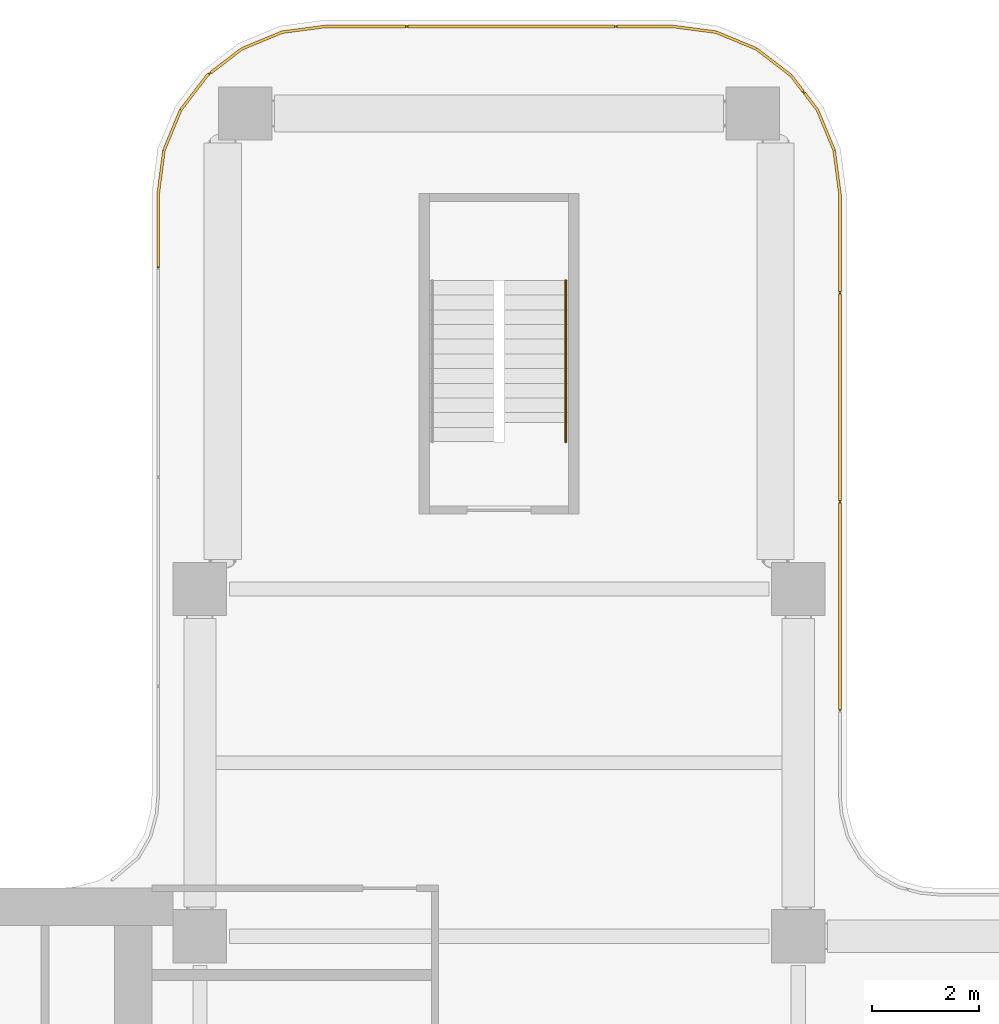
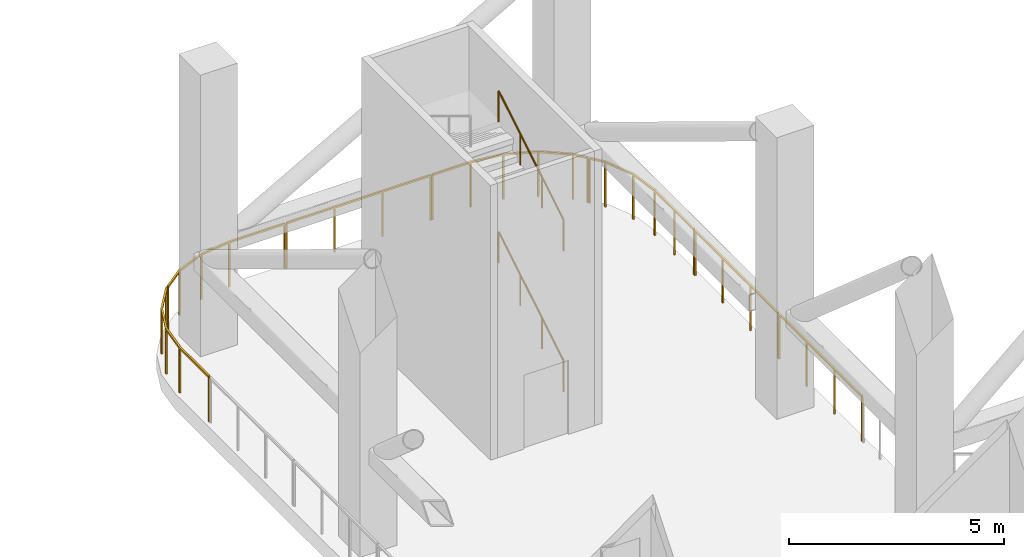
# One storey, part 9 of 9: 9 railings.
"""IFC4 building model written with IfcOpenShell, lengths in metres."""

import ifcopenshell
import ifcopenshell.guid

model = None  # the IFC model being written
_history = None  # IfcOwnerHistory: only IFC2X3 demands one
_inside = {}  # id of a spatial element -> (the spatial element, [elements in it])
_under = {}  # id of a project, library or spatial element -> (it, [spatial elements below it])
_declared = {}  # id of a project -> (the project, [libraries it declares])
_typed = {}  # id of a type object -> (the type object, [elements of that type])
_made_of = {}  # id of a material, layer set ... -> (it, [elements and type objects made of it])


def new_model(schema):
    """Start an empty IFC model of exactly this schema.

    Asked for "IFC4X3", IfcOpenShell would pick the latest addendum, in which some entities
    have other attributes; the version numbers below select the first issue.
    IFC2X3 requires an IfcOwnerHistory on every rooted entity: one is made here for all.
    """
    global model, _history
    if schema == "IFC4X3":
        model = ifcopenshell.file(schema_version=(4, 3, 0, 0))
    else:
        model = ifcopenshell.file(schema=schema)
    _inside.clear()
    _under.clear()
    _declared.clear()
    _typed.clear()
    _made_of.clear()
    _history = None
    if model.schema == "IFC2X3":
        org = make("IfcOrganization", Name="unknown")
        user = make(
            "IfcPersonAndOrganization",
            ThePerson=make("IfcPerson", FamilyName="unknown"),
            TheOrganization=org,
        )
        app = make(
            "IfcApplication",
            ApplicationDeveloper=org,
            Version="unknown",
            ApplicationFullName="unknown",
            ApplicationIdentifier="unknown",
        )
        _history = make(
            "IfcOwnerHistory",
            OwningUser=user,
            OwningApplication=app,
            ChangeAction="ADDED",
            CreationDate=0,
        )
    return model


def make(cls, **values):
    """One entity of the class cls with the attributes given. An attribute that is None is left unset."""
    return model.create_entity(
        cls, **{name: value for name, value in values.items() if value is not None}
    )


def rooted(cls, **values):
    """An entity with a GlobalId (a new one), such as an element, a storey or a relation."""
    return make(cls, GlobalId=ifcopenshell.guid.new(), OwnerHistory=_history, **values)


def si_unit(unit_type, name, prefix=None):
    """IfcSIUnit, for example si_unit("LENGTHUNIT", "METRE", prefix="MILLI")."""
    return make("IfcSIUnit", UnitType=unit_type, Prefix=prefix, Name=name)


def assignment(units):
    """IfcUnitAssignment: the units of a project."""
    return None if units is None else make("IfcUnitAssignment", Units=units)


def point(xyz):
    """IfcCartesianPoint."""
    return None if xyz is None else make("IfcCartesianPoint", Coordinates=xyz)


def direction(xyz):
    """IfcDirection."""
    return None if xyz is None else make("IfcDirection", DirectionRatios=xyz)


def frame(location, z_axis=None, x_axis=None):
    """IfcAxis2Placement3D, a coordinate frame: its origin and axes. An axis left out is left unset."""
    return make(
        "IfcAxis2Placement3D",
        Location=point(location),
        Axis=direction(z_axis),
        RefDirection=direction(x_axis),
    )


def frame_2d(location, x_axis=None):
    """IfcAxis2Placement2D, a coordinate frame in the plane: its origin and x axis."""
    return make(
        "IfcAxis2Placement2D", Location=point(location), RefDirection=direction(x_axis)
    )


def origin():
    """The frame at (0, 0, 0) with its axes left unset."""
    return frame((0.0, 0.0, 0.0))


def origin_2d():
    """The frame at (0, 0) in the plane with its x axis left unset."""
    return frame_2d((0.0, 0.0))


def place(relative_to, where):
    """IfcLocalPlacement: puts the frame where relative to a parent placement (None: the world)."""
    return make(
        "IfcLocalPlacement", PlacementRelTo=relative_to, RelativePlacement=where
    )


def context(
    kind, dimensions, precision=None, world=None, true_north=None, identifier=None
):
    """IfcGeometricRepresentationContext, for example the 3D "Model" context."""
    return make(
        "IfcGeometricRepresentationContext",
        ContextIdentifier=identifier,
        ContextType=kind,
        CoordinateSpaceDimension=dimensions,
        Precision=precision,
        WorldCoordinateSystem=world,
        TrueNorth=true_north,
    )


def subcontext(parent, identifier, kind, view, scale=None):
    """IfcGeometricRepresentationSubContext, for example "Body" below "Model"."""
    return make(
        "IfcGeometricRepresentationSubContext",
        ContextIdentifier=identifier,
        ContextType=kind,
        ParentContext=parent,
        TargetScale=scale,
        TargetView=view,
    )


def project(units=None, contexts=None):
    """IfcProject with its units and contexts."""
    return rooted(
        "IfcProject",
        Name="project",
        RepresentationContexts=contexts,
        UnitsInContext=assignment(units),
    )


def spatial(cls, under=None, at=None, **own):
    """A site, building, storey or space (cls), placed at a placement, below another one or the project."""
    s = rooted(cls, ObjectPlacement=at, **own)
    if under is not None:
        _under.setdefault(under.id(), (under, []))[1].append(s)
    return s


def profile(cls, at=None, kind="AREA", **sizes):
    """A parametric profile (cls). Its sizes go by their IFC names, for example OverallWidth=200.0."""
    return make(cls, ProfileType=kind, Position=at, **sizes)


def rectangle(**sizes):
    """IfcRectangleProfileDef."""
    return profile("IfcRectangleProfileDef", **sizes)


def circle(**sizes):
    """IfcCircleProfileDef."""
    return profile("IfcCircleProfileDef", **sizes)


def extrude(swept, where, along, depth):
    """IfcExtrudedAreaSolid: the profile swept, set in the frame where, extruded along a direction by depth."""
    return make(
        "IfcExtrudedAreaSolid",
        SweptArea=swept,
        Position=where,
        ExtrudedDirection=direction(along),
        Depth=depth,
    )


def shape(context_of_items, identifier, shape_type, items):
    """IfcShapeRepresentation: the items that make up one representation, for example the "Body"."""
    return make(
        "IfcShapeRepresentation",
        ContextOfItems=context_of_items,
        RepresentationIdentifier=identifier,
        RepresentationType=shape_type,
        Items=items,
    )


def source(mapping_origin, context_of_items, identifier, shape_type, items):
    """IfcRepresentationMap: a shape defined once, which mapped items show again and again."""
    return make(
        "IfcRepresentationMap",
        MappingOrigin=mapping_origin,
        MappedRepresentation=shape(context_of_items, identifier, shape_type, items),
    )


def transform(
    local_origin,
    x_axis=None,
    y_axis=None,
    z_axis=None,
    scale=None,
    scale2=None,
    scale3=None,
    uniform=True,
):
    """IfcCartesianTransformationOperator3D, or its non-uniform kind. x_axis, y_axis, z_axis: its Axis1, 2, 3."""
    if uniform:
        return make(
            "IfcCartesianTransformationOperator3D",
            Axis1=direction(x_axis),
            Axis2=direction(y_axis),
            LocalOrigin=point(local_origin),
            Scale=scale,
            Axis3=direction(z_axis),
        )
    return make(
        "IfcCartesianTransformationOperator3DnonUniform",
        Axis1=direction(x_axis),
        Axis2=direction(y_axis),
        LocalOrigin=point(local_origin),
        Scale=scale,
        Axis3=direction(z_axis),
        Scale2=scale2,
        Scale3=scale3,
    )


def mapped(mapping_source, mapping_target):
    """IfcMappedItem: shows the shape of a source again, moved by a transform."""
    return make(
        "IfcMappedItem", MappingSource=mapping_source, MappingTarget=mapping_target
    )


def material(Name=None, Category=None):
    """IfcMaterial."""
    return make("IfcMaterial", Name=Name, Category=Category)


def made_of(thing, what):
    """Note that an element or type object is made of a material, layer set ...; save() writes the relation."""
    if what is not None:
        _made_of.setdefault(what.id(), (what, []))[1].append(thing)
    return thing


def type_object(cls, material=None, **own):
    """A type object (cls), such as IfcWallType, which elements share."""
    return made_of(rooted(cls, **own), material)


def element(
    cls,
    number,
    at=None,
    inside=None,
    cuts=None,
    type_object=None,
    material=None,
    context=None,
    identifier="Body",
    shape_type=None,
    held_by="IfcProductDefinitionShape",
    body=None,
    shapes=None,
    **own,
):
    """One element of the class cls, such as IfcWall. Its Tag is "e" and its number.

    at: its placement. inside: the storey or other place that contains it. cuts: it is an
    opening in that element (IfcRelVoidsElement). A single representation is given by context,
    identifier, shape_type and body (its items); several are given by shapes. held_by: the class
    of the entity that holds the representations. save() writes the other relations.
    """
    e = rooted(cls, Tag="e%d" % number, ObjectPlacement=at, **own)
    if body is not None:
        shapes = [shape(context, identifier, shape_type, body)]
    if shapes is not None:
        e.Representation = make(held_by, Representations=shapes)
    if inside is not None:
        _inside.setdefault(inside.id(), (inside, []))[1].append(e)
    if cuts is not None:
        rooted(
            "IfcRelVoidsElement", RelatingBuildingElement=cuts, RelatedOpeningElement=e
        )
    if type_object is not None:
        _typed.setdefault(type_object.id(), (type_object, []))[1].append(e)
    return made_of(e, material)


def aggregate(whole, parts):
    """IfcRelAggregates: a whole, such as a stair, and the parts it consists of."""
    return rooted("IfcRelAggregates", RelatingObject=whole, RelatedObjects=parts)


def save(model, path):
    """Write the relations noted so far, then the file.

    IfcRelAggregates (storeys below a building ...), IfcRelContainedInSpatialStructure (elements
    in a storey), IfcRelDefinesByType, IfcRelAssociatesMaterial and IfcRelDeclares: one each for
    every whole, place, type object, material and project.
    """
    for whole, parts in _under.values():
        aggregate(whole, parts)
    for where, things in _inside.values():
        rooted(
            "IfcRelContainedInSpatialStructure",
            RelatedElements=things,
            RelatingStructure=where,
        )
    for kind, things in _typed.values():
        rooted("IfcRelDefinesByType", RelatedObjects=things, RelatingType=kind)
    for what, things in _made_of.values():
        rooted("IfcRelAssociatesMaterial", RelatedObjects=things, RelatingMaterial=what)
    for by, libraries in _declared.values():
        rooted("IfcRelDeclares", RelatingContext=by, RelatedDefinitions=libraries)
    model.write(path)


model = new_model("IFC4")

# Units and contexts
model_context = context("Model", 3, precision=1e-05, world=origin(), true_north=direction((0.0, 1.0)))
body_context = subcontext(model_context, "Body", "Model", "MODEL_VIEW")
ifc_project = project(units=[si_unit("LENGTHUNIT", "METRE"), si_unit("AREAUNIT", "SQUARE_METRE"), si_unit("VOLUMEUNIT", "CUBIC_METRE"), si_unit("PLANEANGLEUNIT", "RADIAN"), si_unit("MASSUNIT", "GRAM", prefix="KILO")], contexts=[model_context])

# Site, building, storey
site_placement = place(None, origin())
site = spatial("IfcSite", under=ifc_project, at=site_placement, CompositionType="ELEMENT")
building_placement = place(site_placement, origin())
building = spatial("IfcBuilding", under=site, at=building_placement, Name="Trellis Farm Tower", CompositionType="ELEMENT")
storey_placement = place(building_placement, frame((0.0, 0.0, 271.39990234375)))
storey = spatial("IfcBuildingStorey", under=building, at=storey_placement, Name="L61", CompositionType="ELEMENT", Elevation=271.39990234375)

# Railings
ifc_material_1 = material(Name="Stainless steel 316", Category="steel")
railing_type_1 = type_object("IfcRailingType", Name="BALUSTRADE GUARD 1300", PredefinedType="GUARDRAIL", material=ifc_material_1)
railing_1_placement = place(storey_placement, frame((-6.3798828125, 18.124755859375, 0.0)))
element("IfcRailing", 1, at=railing_1_placement, inside=storey, type_object=railing_type_1, Name="GD3 EDGE-4", PredefinedType="GUARDRAIL", context=body_context, shape_type="SweptSolid", body=[
    extrude(rectangle(XDim=0.050048828125, YDim=0.050048828125, at=origin_2d()), frame((0.0, 0.0, 1.27490234375), z_axis=(0.0, 1.0, 0.0), x_axis=(-1.0, 0.0, 0.0)), (0.0, 0.0, 1.0), 1.367431640625),
    extrude(rectangle(XDim=0.050048828125, YDim=0.050048828125, at=origin_2d()), frame((0.0, 1.367431640625, 1.27490234375), z_axis=(0.130554065513, 0.991441191387, 0.0), x_axis=(-0.991441191387, 0.130554065513, 0.0)), (0.0, 0.0, 1.0), 0.82470703125),
    extrude(rectangle(XDim=0.050048828125, YDim=0.050048828125, at=origin_2d()), frame((0.107666015625, 2.18505859375, 1.27490234375), z_axis=(0.382598185958, 0.923914838122, 0.0), x_axis=(-0.923914838122, 0.382598185958, 0.0)), (0.0, 0.0, 1.0), 0.81689453125),
    extrude(rectangle(XDim=0.050048828125, YDim=0.050048828125, at=origin_2d()), frame((0.420166015625, 2.939697265625, 1.27490234375), z_axis=(0.608858156099, 0.793279109615, 0.0), x_axis=(-0.793279109615, 0.608858156099, 0.0)), (0.0, 0.0, 1.0), 0.81689453125),
    extrude(rectangle(XDim=0.050048828125, YDim=0.050048828125, at=origin_2d()), frame((0.91748046875, 3.587646484375, 1.27490234375), z_axis=(0.791285001392, 0.611447501076, 0.0), x_axis=(-0.611447501076, 0.791285001392, 0.0)), (0.0, 0.0, 1.0), 0.040771484375),
    extrude(rectangle(XDim=0.0400390625, YDim=0.0400390625, at=origin_2d()), origin(), (0.0, 0.0, 1.0), 1.25),
    extrude(rectangle(XDim=0.0400390625, YDim=0.0400390625, at=origin_2d()), frame((0.0, 1.367431640625, 0.0)), (0.0, 0.0, 1.0), 1.25),
    extrude(rectangle(XDim=0.0400390625, YDim=0.0400390625, at=origin_2d()), frame((0.107666015625, 2.18505859375, 0.0)), (0.0, 0.0, 1.0), 1.25),
    extrude(rectangle(XDim=0.0400390625, YDim=0.0400390625, at=origin_2d()), frame((0.420166015625, 2.939697265625, 0.0)), (0.0, 0.0, 1.0), 1.25),
    extrude(rectangle(XDim=0.0400390625, YDim=0.0400390625, at=origin_2d()), frame((0.91748046875, 3.587646484375, 0.0)), (0.0, 0.0, 1.0), 1.25),
    extrude(rectangle(XDim=0.0400390625, YDim=0.0400390625, at=origin_2d()), frame((0.94970703125, 3.612548828125, 0.0)), (0.0, 0.0, 1.0), 1.25),
])
railing_2_placement = place(storey_placement, frame((-5.394287109375, 21.764892578125, 0.0)))
element("IfcRailing", 2, at=railing_2_placement, inside=storey, type_object=railing_type_1, Name="GD3 EDGE-5", PredefinedType="GUARDRAIL", context=body_context, shape_type="SweptSolid", body=[
    extrude(rectangle(XDim=0.050048828125, YDim=0.050048828125, at=origin_2d()), frame((0.0, 0.0, 1.27490234375), z_axis=(0.793418130896, 0.608676982944, 0.0), x_axis=(-0.608676982944, 0.793418130896, 0.0)), (0.0, 0.0, 1.0), 0.730712890625),
    extrude(rectangle(XDim=0.050048828125, YDim=0.050048828125, at=origin_2d()), frame((0.579833984375, 0.44482421875, 1.27490234375), z_axis=(0.923914838122, 0.382598185958, 0.0), x_axis=(-0.382598185958, 0.923914838122, 0.0)), (0.0, 0.0, 1.0), 0.81689453125),
    extrude(rectangle(XDim=0.050048828125, YDim=0.050048828125, at=origin_2d()), frame((1.33447265625, 0.75732421875, 1.27490234375), z_axis=(0.991441191387, 0.130554065513, 0.0), x_axis=(-0.130554065513, 0.991441191387, 0.0)), (0.0, 0.0, 1.0), 0.82470703125),
    extrude(rectangle(XDim=0.050048828125, YDim=0.050048828125, at=origin_2d()), frame((2.152099609375, 0.864990234375, 1.27490234375), z_axis=(1.0, 0.0, 0.0), x_axis=(0.0, 1.0, 0.0)), (0.0, 0.0, 1.0), 1.494384765625),
    extrude(rectangle(XDim=0.0400390625, YDim=0.0400390625, at=origin_2d()), origin(), (0.0, 0.0, 1.0), 1.25),
    extrude(rectangle(XDim=0.0400390625, YDim=0.0400390625, at=origin_2d()), frame((0.579833984375, 0.44482421875, 0.0)), (0.0, 0.0, 1.0), 1.25),
    extrude(rectangle(XDim=0.0400390625, YDim=0.0400390625, at=origin_2d()), frame((1.33447265625, 0.75732421875, 0.0)), (0.0, 0.0, 1.0), 1.25),
    extrude(rectangle(XDim=0.0400390625, YDim=0.0400390625, at=origin_2d()), frame((2.152099609375, 0.864990234375, 0.0)), (0.0, 0.0, 1.0), 1.25),
    extrude(rectangle(XDim=0.0400390625, YDim=0.0400390625, at=origin_2d()), frame((3.646484375, 0.864990234375, 0.0)), (0.0, 0.0, 1.0), 1.25),
])
railing_3_placement = place(storey_placement, frame((2.208984375, 22.6298828125, 0.0)))
element("IfcRailing", 3, at=railing_3_placement, inside=storey, type_object=railing_type_1, Name="GD3 EDGE-7", PredefinedType="GUARDRAIL", context=body_context, shape_type="SweptSolid", body=[
    extrude(rectangle(XDim=0.050048828125, YDim=0.050048828125, at=origin_2d()), frame((0.0, 0.0, 1.27490234375), z_axis=(1.0, 0.0, 0.0), x_axis=(0.0, 1.0, 0.0)), (0.0, 0.0, 1.0), 1.033203125),
    extrude(rectangle(XDim=0.050048828125, YDim=0.050048828125, at=origin_2d()), frame((1.033203125, 0.0, 1.27490234375), z_axis=(0.991441191387, -0.130554065513, 0.0), x_axis=(0.130554065513, 0.991441191387, 0.0)), (0.0, 0.0, 1.0), 0.82470703125),
    extrude(rectangle(XDim=0.050048828125, YDim=0.050048828125, at=origin_2d()), frame((1.850830078125, -0.107666015625, 1.27490234375), z_axis=(0.923914838122, -0.382598185958, 0.0), x_axis=(0.382598185958, 0.923914838122, 0.0)), (0.0, 0.0, 1.0), 0.81689453125),
    extrude(rectangle(XDim=0.050048828125, YDim=0.050048828125, at=origin_2d()), frame((2.60546875, -0.420166015625, 1.27490234375), z_axis=(0.793279109615, -0.608858156099, 0.0), x_axis=(0.608858156099, 0.793279109615, 0.0)), (0.0, 0.0, 1.0), 0.81689453125),
    extrude(rectangle(XDim=0.050048828125, YDim=0.050048828125, at=origin_2d()), frame((3.25341796875, -0.91748046875, 1.27490234375), z_axis=(0.609018747732, -0.793155826374, 0.0), x_axis=(0.793155826374, 0.609018747732, 0.0)), (0.0, 0.0, 1.0), 0.375244140625),
    extrude(rectangle(XDim=0.0400390625, YDim=0.0400390625, at=origin_2d()), origin(), (0.0, 0.0, 1.0), 1.25),
    extrude(rectangle(XDim=0.0400390625, YDim=0.0400390625, at=origin_2d()), frame((1.033203125, 0.0, 0.0)), (0.0, 0.0, 1.0), 1.25),
    extrude(rectangle(XDim=0.0400390625, YDim=0.0400390625, at=origin_2d()), frame((1.850830078125, -0.107666015625, 0.0)), (0.0, 0.0, 1.0), 1.25),
    extrude(rectangle(XDim=0.0400390625, YDim=0.0400390625, at=origin_2d()), frame((2.60546875, -0.420166015625, 0.0)), (0.0, 0.0, 1.0), 1.25),
    extrude(rectangle(XDim=0.0400390625, YDim=0.0400390625, at=origin_2d()), frame((3.25341796875, -0.91748046875, 0.0)), (0.0, 0.0, 1.0), 1.25),
    extrude(rectangle(XDim=0.0400390625, YDim=0.0400390625, at=origin_2d()), frame((3.48193359375, -1.215087890625, 0.0)), (0.0, 0.0, 1.0), 1.25),
])
railing_4_placement = place(storey_placement, frame((5.71826171875, 21.379150390625, 0.0)))
element("IfcRailing", 4, at=railing_4_placement, inside=storey, type_object=railing_type_1, Name="GD3 EDGE-8", PredefinedType="GUARDRAIL", context=body_context, shape_type="SweptSolid", body=[
    extrude(rectangle(XDim=0.050048828125, YDim=0.050048828125, at=origin_2d()), frame((0.0, 0.0, 1.27490234375), z_axis=(0.608728697942, -0.793378454649, 0.0), x_axis=(0.793378454649, 0.608728697942, 0.0)), (0.0, 0.0, 1.0), 0.396728515625),
    extrude(rectangle(XDim=0.050048828125, YDim=0.050048828125, at=origin_2d()), frame((0.241455078125, -0.314697265625, 1.27490234375), z_axis=(0.382598185958, -0.923914838122, 0.0), x_axis=(0.923914838122, 0.382598185958, 0.0)), (0.0, 0.0, 1.0), 0.81689453125),
    extrude(rectangle(XDim=0.050048828125, YDim=0.050048828125, at=origin_2d()), frame((0.553955078125, -1.0693359375, 1.27490234375), z_axis=(0.130554065513, -0.991441191387, 0.0), x_axis=(0.991441191387, 0.130554065513, 0.0)), (0.0, 0.0, 1.0), 0.82470703125),
    extrude(rectangle(XDim=0.050048828125, YDim=0.050048828125, at=origin_2d()), frame((0.66162109375, -1.886962890625, 1.27490234375), z_axis=(0.0, -1.0, 0.0), x_axis=(1.0, 0.0, 0.0)), (0.0, 0.0, 1.0), 1.82861328125),
    extrude(rectangle(XDim=0.0400390625, YDim=0.0400390625, at=origin_2d()), origin(), (0.0, 0.0, 1.0), 1.25),
    extrude(rectangle(XDim=0.0400390625, YDim=0.0400390625, at=origin_2d()), frame((0.241455078125, -0.314697265625, 0.0)), (0.0, 0.0, 1.0), 1.25),
    extrude(rectangle(XDim=0.0400390625, YDim=0.0400390625, at=origin_2d()), frame((0.553955078125, -1.0693359375, 0.0)), (0.0, 0.0, 1.0), 1.25),
    extrude(rectangle(XDim=0.0400390625, YDim=0.0400390625, at=origin_2d()), frame((0.66162109375, -1.886962890625, 0.0)), (0.0, 0.0, 1.0), 1.25),
    extrude(rectangle(XDim=0.0400390625, YDim=0.0400390625, at=origin_2d()), frame((0.66162109375, -2.80126953125, 0.0)), (0.0, 0.0, 1.0), 1.25),
    extrude(rectangle(XDim=0.0400390625, YDim=0.0400390625, at=origin_2d()), frame((0.66162109375, -3.715576171875, 0.0)), (0.0, 0.0, 1.0), 1.25),
])
ifc_material_2 = material(Name="Stainless steel", Category="steel")
railing_type_2 = type_object("IfcRailingType", Name="STAIR HANDRAIL 900", PredefinedType="HANDRAIL", material=ifc_material_2)
shared_shape_1 = source(origin(), body_context, "Body", "SweptSolid", [
    extrude(circle(Radius=0.02392578125, at=origin_2d()), frame((0.0, 0.0, 0.8759765625), z_axis=(0.0, 0.855200612876, 0.518297126884), x_axis=(-1.0, 0.0, 0.0)), (0.0, 0.0, 1.0), 3.537109375),
    extrude(circle(Radius=0.02099609375, at=origin_2d()), origin(), (0.0, 0.0, 1.0), 0.851806640625),
    extrude(circle(Radius=0.02099609375, at=origin_2d()), frame((0.0, 1.00830078125, 0.611083984375)), (0.0, 0.0, 1.0), 0.851806640625),
    extrude(circle(Radius=0.02099609375, at=origin_2d()), frame((0.0, 2.0166015625, 1.22216796875)), (0.0, 0.0, 1.0), 0.851806640625),
    extrude(circle(Radius=0.02099609375, at=origin_2d()), frame((0.0, 3.02490234375, 1.833251953125)), (0.0, 0.0, 1.0), 0.851806640625),
])
for number, where, name in (
    (5, (1.25, 14.85009765625, 0.166748046875), "Stair handrail"),
    (6, (1.25, 14.85009765625, 4.166748046875), "Stair handrail"),
):
    element("IfcRailing", number, at=place(storey_placement, frame(where)), inside=storey, type_object=railing_type_2, Name=name, PredefinedType="HANDRAIL", context=body_context, shape_type="MappedRepresentation", body=[
        mapped(shared_shape_1, transform((0.0, 0.0, 0.0))),
    ])
shared_shape_2 = source(origin(), body_context, "Body", "SweptSolid", [
    extrude(rectangle(XDim=0.050048828125, YDim=0.050048828125, at=origin_2d()), frame((0.0, 0.0, 1.27490234375), z_axis=(0.0, -1.0, 0.0), x_axis=(1.0, 0.0, 0.0)), (0.0, 0.0, 1.0), 3.86669921875),
    extrude(rectangle(XDim=0.0400390625, YDim=0.0400390625, at=origin_2d()), origin(), (0.0, 0.0, 1.0), 1.25),
    extrude(rectangle(XDim=0.0400390625, YDim=0.0400390625, at=origin_2d()), frame((0.0, -1.288818359375, 0.0)), (0.0, 0.0, 1.0), 1.25),
    extrude(rectangle(XDim=0.0400390625, YDim=0.0400390625, at=origin_2d()), frame((0.0, -2.577880859375, 0.0)), (0.0, 0.0, 1.0), 1.25),
    extrude(rectangle(XDim=0.0400390625, YDim=0.0400390625, at=origin_2d()), frame((0.0, -3.86669921875, 0.0)), (0.0, 0.0, 1.0), 1.25),
])
for number, where, name in (
    (7, (6.3798828125, 17.61865234375, 0.0), "GD3 EDGE-9"),
    (8, (6.3798828125, 13.706787109375, 0.0), "GD3 EDGE-10"),
):
    element("IfcRailing", number, at=place(storey_placement, frame(where)), inside=storey, type_object=railing_type_1, Name=name, PredefinedType="GUARDRAIL", context=body_context, shape_type="MappedRepresentation", body=[
        mapped(shared_shape_2, transform((0.0, 0.0, 0.0))),
    ])
shared_shape_3 = source(origin(), body_context, "Body", "SweptSolid", [
    extrude(rectangle(XDim=0.050048828125, YDim=0.050048828125, at=origin_2d()), frame((0.0, 0.0, 1.27490234375), z_axis=(1.0, 0.0, 0.0), x_axis=(0.0, 1.0, 0.0)), (0.0, 0.0, 1.0), 3.86669921875),
    extrude(rectangle(XDim=0.0400390625, YDim=0.0400390625, at=origin_2d()), origin(), (0.0, 0.0, 1.0), 1.25),
    extrude(rectangle(XDim=0.0400390625, YDim=0.0400390625, at=origin_2d()), frame((1.288818359375, 0.0, 0.0)), (0.0, 0.0, 1.0), 1.25),
    extrude(rectangle(XDim=0.0400390625, YDim=0.0400390625, at=origin_2d()), frame((2.577880859375, 0.0, 0.0)), (0.0, 0.0, 1.0), 1.25),
    extrude(rectangle(XDim=0.0400390625, YDim=0.0400390625, at=origin_2d()), frame((3.86669921875, 0.0, 0.0)), (0.0, 0.0, 1.0), 1.25),
])
railing_5_placement = place(storey_placement, frame((-1.702880859375, 22.6298828125, 0.0)))
element("IfcRailing", 9, at=railing_5_placement, inside=storey, type_object=railing_type_1, Name="GD3 EDGE-6", PredefinedType="GUARDRAIL", context=body_context, shape_type="MappedRepresentation", body=[
    mapped(shared_shape_3, transform((0.0, 0.0, 0.0))),
])

save(model, "model.ifc")
